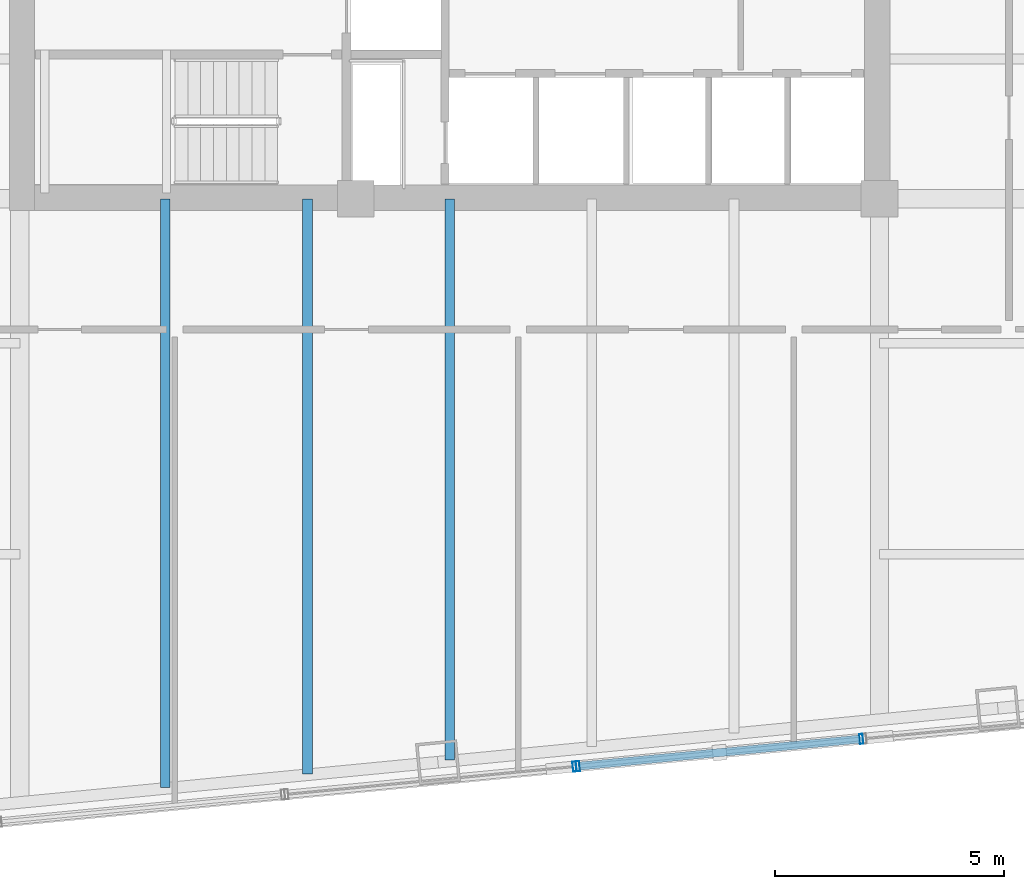
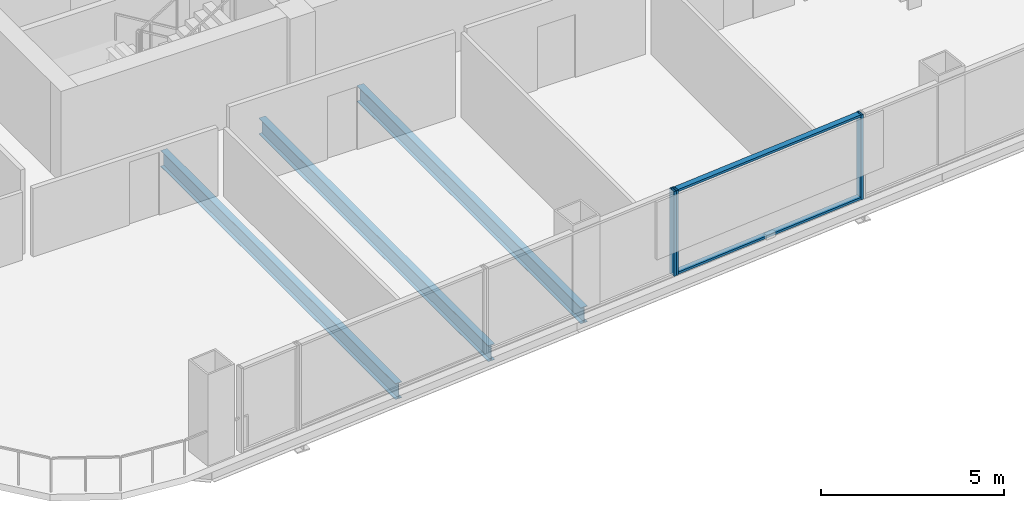
# One storey, part 5 of 28: 5 members, 3 beams, 2 elements without a shape of their own.
"""IFC4 building model written with IfcOpenShell, lengths in metres."""

from ifc_helpers import new_model, si_unit, direction, frame, origin, origin_2d, place, context, subcontext, project, spatial, hollow_rectangle, i_section, extrude, material, layer, layer_set, material_profile, profile_set, type_object, element, aggregate, save


model = new_model("IFC4")

# Units and contexts
model_context = context("Model", 3, precision=1e-05, world=origin(), true_north=direction((0.0, 1.0)))
body_context = subcontext(model_context, "Body", "Model", "MODEL_VIEW")
ifc_project = project(units=[si_unit("LENGTHUNIT", "METRE"), si_unit("AREAUNIT", "SQUARE_METRE"), si_unit("VOLUMEUNIT", "CUBIC_METRE"), si_unit("PLANEANGLEUNIT", "RADIAN"), si_unit("MASSUNIT", "GRAM", prefix="KILO")], contexts=[model_context])

# Site, building, storey
site_placement = place(None, origin())
site = spatial("IfcSite", under=ifc_project, at=site_placement, CompositionType="ELEMENT")
building_placement = place(site_placement, origin())
building = spatial("IfcBuilding", under=site, at=building_placement, Name="Qhalaya Broadcast Tower", CompositionType="ELEMENT")
storey_placement = place(building_placement, frame((0.0, 0.0, 90.800048828125)))
storey = spatial("IfcBuildingStorey", under=building, at=storey_placement, Name="L26", CompositionType="ELEMENT", Elevation=90.800048828125)

# Beams
ifc_material_1 = material(Name="Structural Steel ASTM A992 Grade 50", Category="steel")
ifc_material_profile_1 = material_profile(ifc_material_1, i_section(OverallWidth=0.2099609375, OverallDepth=0.535888671875, WebThickness=0.010986328125, FlangeThickness=0.017333984375, at=origin_2d()), Name="W21X68")
ifc_profile_set_1 = profile_set([ifc_material_profile_1], Name="Structural Steel ASTM A992 Grade 50")
beam_type = type_object("IfcBeamType", Name="Composite Floor Joist J02", PredefinedType="JOIST", material=ifc_profile_set_1)
beam_1_placement = place(storey_placement, frame((-6.199951171875, -21.589111328125, -0.488037109375), z_axis=(0.0, 1.0, 0.0), x_axis=(-1.0, 0.0, 0.0)))
element("IfcBeam", 1, at=beam_1_placement, inside=storey, type_object=beam_type, Name="L26 J02 L26-JNS1-1", PredefinedType="JOIST", context=body_context, shape_type="SweptSolid", body=[
    extrude(i_section(OverallWidth=0.2099609375, OverallDepth=0.535888671875, WebThickness=0.010986328125, FlangeThickness=0.017333984375, at=origin_2d()), origin(), (0.0, 0.0, 1.0), 12.839111328125),
])
beam_2_placement = place(storey_placement, frame((-3.10009765625, -21.290771484375, -0.488037109375), z_axis=(0.0, 1.0, 0.0), x_axis=(-1.0, 0.0, 0.0)))
element("IfcBeam", 2, at=beam_2_placement, inside=storey, type_object=beam_type, Name="L26 J02 L26-JNS2-1", PredefinedType="JOIST", context=body_context, shape_type="SweptSolid", body=[
    extrude(i_section(OverallWidth=0.2099609375, OverallDepth=0.535888671875, WebThickness=0.010986328125, FlangeThickness=0.017333984375, at=origin_2d()), origin(), (0.0, 0.0, 1.0), 12.540771484375),
])
beam_3_placement = place(storey_placement, frame((0.0, -20.9921875, -0.488037109375), z_axis=(0.0, 1.0, 0.0), x_axis=(-1.0, 0.0, 0.0)))
element("IfcBeam", 3, at=beam_3_placement, inside=storey, type_object=beam_type, Name="L26 J02 L26-JNS3-1", PredefinedType="JOIST", context=body_context, shape_type="SweptSolid", body=[
    extrude(i_section(OverallWidth=0.2099609375, OverallDepth=0.535888671875, WebThickness=0.010986328125, FlangeThickness=0.017333984375, at=origin_2d()), origin(), (0.0, 0.0, 1.0), 12.2421875),
])

# Curtain wall, member
ifc_material_2 = material(Name="Solar-Control Low-E Triple Glazing", Category="glass")
ifc_layer_1 = layer(ifc_material_2, 0.219970703125, Name="Solar-Control Low-E Triple Glazing")
ifc_layer_set_1 = layer_set([ifc_layer_1], Name="Solar-Control Low-E Triple Glazing")
curtain_wall_type_1 = type_object("IfcCurtainWallType", Name="Even-Block 4-Storey Double-Module Curtain Wall CW-03", PredefinedType="NOTDEFINED", material=ifc_layer_set_1)
curtain_wall_1_placement = place(storey_placement, origin())
curtain_wall_1 = element("IfcCurtainWall", 4, at=curtain_wall_1_placement, inside=storey, type_object=curtain_wall_type_1, Name="L26 Unitised Curtain Wall L26-CW-S3", PredefinedType="NOTDEFINED")
ifc_material_3 = material(Name="Anodised Aluminium 6063-T6", Category="aluminium")
ifc_material_profile_2 = material_profile(ifc_material_3, hollow_rectangle(XDim=0.074951171875, YDim=0.219970703125, WallThickness=0.00390625, at=origin_2d()), Name="ALU-MUL 75x220x4")
ifc_profile_set_2 = profile_set([ifc_material_profile_2], Name="Anodised Aluminium 6063-T6")
member_type_1 = type_object("IfcMemberType", Name="Unitised Curtain-Wall Mullion M01", PredefinedType="MULLION", material=ifc_profile_set_2)
member_1_placement = place(storey_placement, frame((2.722412109375, -21.132080078125, 0.0), z_axis=(0.0, 0.0, 1.0), x_axis=(0.99539731409, 0.095834164588, 0.0)))
member_1 = element("IfcMember", 5, at=member_1_placement, type_object=member_type_1, Name="CW-03 mullion 2", PredefinedType="MULLION", context=body_context, shape_type="SweptSolid", body=[
    extrude(hollow_rectangle(XDim=0.074951171875, YDim=0.219970703125, WallThickness=0.00390625, at=origin_2d()), origin(), (0.0, 0.0, 1.0), 2.829833984375),
])
aggregate(curtain_wall_1, [member_1])

# Curtain wall, members
ifc_material_4 = material(Name="Fired Architectural Terracotta", Category="masonry")
ifc_layer_2 = layer(ifc_material_4, 0.219970703125, Name="Fired Architectural Terracotta")
ifc_layer_set_2 = layer_set([ifc_layer_2], Name="Fired Architectural Terracotta")
curtain_wall_type_2 = type_object("IfcCurtainWallType", Name="Block-Cap Unitised Terracotta Spandrel Wall CW-07", PredefinedType="NOTDEFINED", material=ifc_layer_set_2)
curtain_wall_2_placement = place(storey_placement, origin())
curtain_wall_2 = element("IfcCurtainWall", 6, at=curtain_wall_2_placement, inside=storey, type_object=curtain_wall_type_2, Name="L26 Unitised Curtain Wall L26-CW-S4", PredefinedType="NOTDEFINED")
member_2_placement = place(storey_placement, frame((2.797119140625, -21.124755859375, 0.0), z_axis=(0.0, 0.0, 1.0), x_axis=(0.995394756218, 0.095860728627, 0.0)))
member_2 = element("IfcMember", 7, at=member_2_placement, type_object=member_type_1, Name="CW-07 mullion 1", PredefinedType="MULLION", context=body_context, shape_type="SweptSolid", body=[
    extrude(hollow_rectangle(XDim=0.074951171875, YDim=0.219970703125, WallThickness=0.00390625, at=origin_2d()), origin(), (0.0, 0.0, 1.0), 2.829833984375),
])
member_3_placement = place(storey_placement, frame((8.9755859375, -20.52978515625, 0.0), z_axis=(0.0, 0.0, 1.0), x_axis=(0.995394756218, 0.095860728627, 0.0)))
member_3 = element("IfcMember", 8, at=member_3_placement, type_object=member_type_1, Name="CW-07 mullion 2", PredefinedType="MULLION", context=body_context, shape_type="SweptSolid", body=[
    extrude(hollow_rectangle(XDim=0.074951171875, YDim=0.219970703125, WallThickness=0.00390625, at=origin_2d()), origin(), (0.0, 0.0, 1.0), 2.829833984375),
])
ifc_material_profile_3 = material_profile(ifc_material_3, hollow_rectangle(XDim=0.074951171875, YDim=0.179931640625, WallThickness=0.00390625, at=origin_2d()), Name="ALU-TRN 75x180x4")
ifc_profile_set_3 = profile_set([ifc_material_profile_3], Name="Anodised Aluminium 6063-T6")
member_type_2 = type_object("IfcMemberType", Name="Unitised Curtain-Wall Transom T01", PredefinedType="USERDEFINED", material=ifc_profile_set_3)
member_4_placement = place(storey_placement, frame((2.83447265625, -21.12109375, 0.037353515625), z_axis=(0.995397423268, 0.095833030591, 0.0), x_axis=(0.0, 0.0, 1.0)))
member_4 = element("IfcMember", 9, at=member_4_placement, type_object=member_type_2, Name="CW-07 transom 1.1", ObjectType="TRANSOM", PredefinedType="USERDEFINED", context=body_context, shape_type="SweptSolid", body=[
    extrude(hollow_rectangle(XDim=0.074951171875, YDim=0.179931640625, WallThickness=0.00390625, at=origin_2d()), origin(), (0.0, 0.0, 1.0), 6.132080078125),
])
member_5_placement = place(storey_placement, frame((2.83447265625, -21.12109375, 2.79248046875), z_axis=(0.995397423268, 0.095833030591, 0.0), x_axis=(0.0, 0.0, 1.0)))
member_5 = element("IfcMember", 10, at=member_5_placement, type_object=member_type_2, Name="CW-07 transom 1.2", ObjectType="TRANSOM", PredefinedType="USERDEFINED", context=body_context, shape_type="SweptSolid", body=[
    extrude(hollow_rectangle(XDim=0.074951171875, YDim=0.179931640625, WallThickness=0.00390625, at=origin_2d()), origin(), (0.0, 0.0, 1.0), 6.132080078125),
])
aggregate(curtain_wall_2, [member_2, member_3, member_4, member_5])

save(model, "model.ifc")
